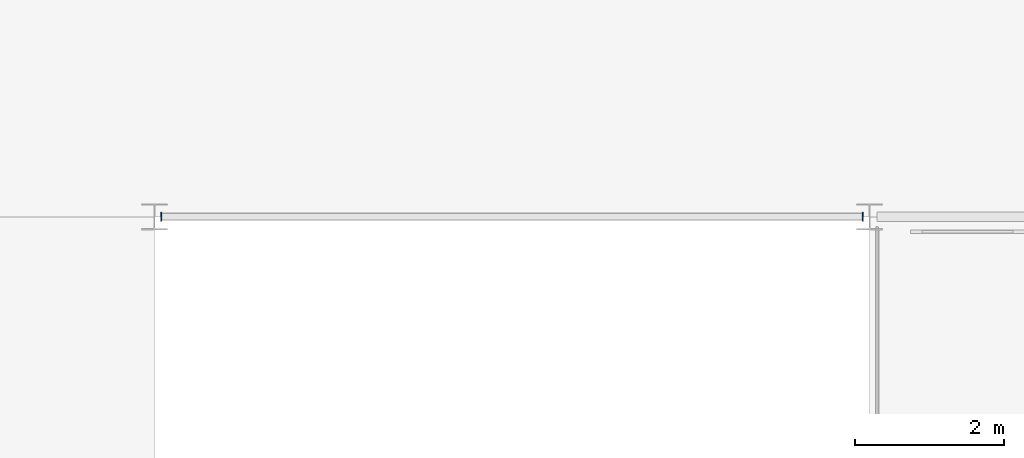
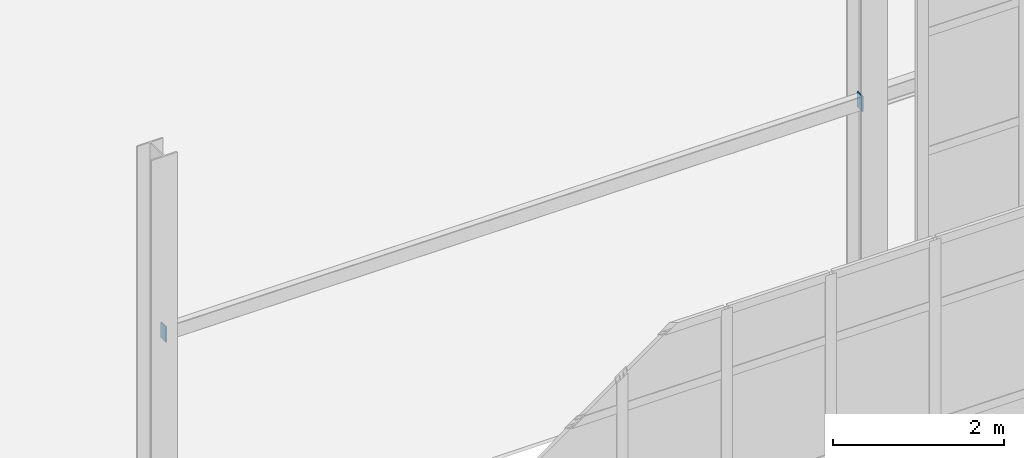
# One storey, part 93 of 139: 2 plates.
"""IFC4 building model written with IfcOpenShell, lengths in metres."""

import ifcopenshell
import ifcopenshell.guid

model = None  # the IFC model being written
_history = None  # IfcOwnerHistory: only IFC2X3 demands one
_inside = {}  # id of a spatial element -> (the spatial element, [elements in it])
_under = {}  # id of a project, library or spatial element -> (it, [spatial elements below it])
_declared = {}  # id of a project -> (the project, [libraries it declares])
_typed = {}  # id of a type object -> (the type object, [elements of that type])
_made_of = {}  # id of a material, layer set ... -> (it, [elements and type objects made of it])


def new_model(schema):
    """Start an empty IFC model of exactly this schema.

    Asked for "IFC4X3", IfcOpenShell would pick the latest addendum, in which some entities
    have other attributes; the version numbers below select the first issue.
    IFC2X3 requires an IfcOwnerHistory on every rooted entity: one is made here for all.
    """
    global model, _history
    if schema == "IFC4X3":
        model = ifcopenshell.file(schema_version=(4, 3, 0, 0))
    else:
        model = ifcopenshell.file(schema=schema)
    _inside.clear()
    _under.clear()
    _declared.clear()
    _typed.clear()
    _made_of.clear()
    _history = None
    if model.schema == "IFC2X3":
        org = make("IfcOrganization", Name="unknown")
        user = make(
            "IfcPersonAndOrganization",
            ThePerson=make("IfcPerson", FamilyName="unknown"),
            TheOrganization=org,
        )
        app = make(
            "IfcApplication",
            ApplicationDeveloper=org,
            Version="unknown",
            ApplicationFullName="unknown",
            ApplicationIdentifier="unknown",
        )
        _history = make(
            "IfcOwnerHistory",
            OwningUser=user,
            OwningApplication=app,
            ChangeAction="ADDED",
            CreationDate=0,
        )
    return model


def make(cls, **values):
    """One entity of the class cls with the attributes given. An attribute that is None is left unset."""
    return model.create_entity(
        cls, **{name: value for name, value in values.items() if value is not None}
    )


def rooted(cls, **values):
    """An entity with a GlobalId (a new one), such as an element, a storey or a relation."""
    return make(cls, GlobalId=ifcopenshell.guid.new(), OwnerHistory=_history, **values)


def si_unit(unit_type, name, prefix=None):
    """IfcSIUnit, for example si_unit("LENGTHUNIT", "METRE", prefix="MILLI")."""
    return make("IfcSIUnit", UnitType=unit_type, Prefix=prefix, Name=name)


def assignment(units):
    """IfcUnitAssignment: the units of a project."""
    return None if units is None else make("IfcUnitAssignment", Units=units)


def point(xyz):
    """IfcCartesianPoint."""
    return None if xyz is None else make("IfcCartesianPoint", Coordinates=xyz)


def direction(xyz):
    """IfcDirection."""
    return None if xyz is None else make("IfcDirection", DirectionRatios=xyz)


def frame(location, z_axis=None, x_axis=None):
    """IfcAxis2Placement3D, a coordinate frame: its origin and axes. An axis left out is left unset."""
    return make(
        "IfcAxis2Placement3D",
        Location=point(location),
        Axis=direction(z_axis),
        RefDirection=direction(x_axis),
    )


def frame_2d(location, x_axis=None):
    """IfcAxis2Placement2D, a coordinate frame in the plane: its origin and x axis."""
    return make(
        "IfcAxis2Placement2D", Location=point(location), RefDirection=direction(x_axis)
    )


def origin():
    """The frame at (0, 0, 0) with its axes left unset."""
    return frame((0.0, 0.0, 0.0))


def origin_2d():
    """The frame at (0, 0) in the plane with its x axis left unset."""
    return frame_2d((0.0, 0.0))


def place(relative_to, where):
    """IfcLocalPlacement: puts the frame where relative to a parent placement (None: the world)."""
    return make(
        "IfcLocalPlacement", PlacementRelTo=relative_to, RelativePlacement=where
    )


def context(
    kind, dimensions, precision=None, world=None, true_north=None, identifier=None
):
    """IfcGeometricRepresentationContext, for example the 3D "Model" context."""
    return make(
        "IfcGeometricRepresentationContext",
        ContextIdentifier=identifier,
        ContextType=kind,
        CoordinateSpaceDimension=dimensions,
        Precision=precision,
        WorldCoordinateSystem=world,
        TrueNorth=true_north,
    )


def subcontext(parent, identifier, kind, view, scale=None):
    """IfcGeometricRepresentationSubContext, for example "Body" below "Model"."""
    return make(
        "IfcGeometricRepresentationSubContext",
        ContextIdentifier=identifier,
        ContextType=kind,
        ParentContext=parent,
        TargetScale=scale,
        TargetView=view,
    )


def project(units=None, contexts=None):
    """IfcProject with its units and contexts."""
    return rooted(
        "IfcProject",
        Name="project",
        RepresentationContexts=contexts,
        UnitsInContext=assignment(units),
    )


def spatial(cls, under=None, at=None, **own):
    """A site, building, storey or space (cls), placed at a placement, below another one or the project."""
    s = rooted(cls, ObjectPlacement=at, **own)
    if under is not None:
        _under.setdefault(under.id(), (under, []))[1].append(s)
    return s


def profile(cls, at=None, kind="AREA", **sizes):
    """A parametric profile (cls). Its sizes go by their IFC names, for example OverallWidth=200.0."""
    return make(cls, ProfileType=kind, Position=at, **sizes)


def rectangle(**sizes):
    """IfcRectangleProfileDef."""
    return profile("IfcRectangleProfileDef", **sizes)


def extrude(swept, where, along, depth):
    """IfcExtrudedAreaSolid: the profile swept, set in the frame where, extruded along a direction by depth."""
    return make(
        "IfcExtrudedAreaSolid",
        SweptArea=swept,
        Position=where,
        ExtrudedDirection=direction(along),
        Depth=depth,
    )


def shape(context_of_items, identifier, shape_type, items):
    """IfcShapeRepresentation: the items that make up one representation, for example the "Body"."""
    return make(
        "IfcShapeRepresentation",
        ContextOfItems=context_of_items,
        RepresentationIdentifier=identifier,
        RepresentationType=shape_type,
        Items=items,
    )


def material(Name=None, Category=None):
    """IfcMaterial."""
    return make("IfcMaterial", Name=Name, Category=Category)


def layer(
    of_material, thickness, ventilated=None, Name=None, Category=None, Priority=None
):
    """IfcMaterialLayer: one layer of a wall or slab, of a material (None: an air gap)."""
    return make(
        "IfcMaterialLayer",
        Material=of_material,
        LayerThickness=thickness,
        IsVentilated=ventilated,
        Name=Name,
        Category=Category,
        Priority=Priority,
    )


def layer_set(layers, Name=None):
    """IfcMaterialLayerSet."""
    return make("IfcMaterialLayerSet", MaterialLayers=layers, LayerSetName=Name)


def made_of(thing, what):
    """Note that an element or type object is made of a material, layer set ...; save() writes the relation."""
    if what is not None:
        _made_of.setdefault(what.id(), (what, []))[1].append(thing)
    return thing


def type_object(cls, material=None, **own):
    """A type object (cls), such as IfcWallType, which elements share."""
    return made_of(rooted(cls, **own), material)


def element(
    cls,
    number,
    at=None,
    inside=None,
    cuts=None,
    type_object=None,
    material=None,
    context=None,
    identifier="Body",
    shape_type=None,
    held_by="IfcProductDefinitionShape",
    body=None,
    shapes=None,
    **own,
):
    """One element of the class cls, such as IfcWall. Its Tag is "e" and its number.

    at: its placement. inside: the storey or other place that contains it. cuts: it is an
    opening in that element (IfcRelVoidsElement). A single representation is given by context,
    identifier, shape_type and body (its items); several are given by shapes. held_by: the class
    of the entity that holds the representations. save() writes the other relations.
    """
    e = rooted(cls, Tag="e%d" % number, ObjectPlacement=at, **own)
    if body is not None:
        shapes = [shape(context, identifier, shape_type, body)]
    if shapes is not None:
        e.Representation = make(held_by, Representations=shapes)
    if inside is not None:
        _inside.setdefault(inside.id(), (inside, []))[1].append(e)
    if cuts is not None:
        rooted(
            "IfcRelVoidsElement", RelatingBuildingElement=cuts, RelatedOpeningElement=e
        )
    if type_object is not None:
        _typed.setdefault(type_object.id(), (type_object, []))[1].append(e)
    return made_of(e, material)


def aggregate(whole, parts):
    """IfcRelAggregates: a whole, such as a stair, and the parts it consists of."""
    return rooted("IfcRelAggregates", RelatingObject=whole, RelatedObjects=parts)


def save(model, path):
    """Write the relations noted so far, then the file.

    IfcRelAggregates (storeys below a building ...), IfcRelContainedInSpatialStructure (elements
    in a storey), IfcRelDefinesByType, IfcRelAssociatesMaterial and IfcRelDeclares: one each for
    every whole, place, type object, material and project.
    """
    for whole, parts in _under.values():
        aggregate(whole, parts)
    for where, things in _inside.values():
        rooted(
            "IfcRelContainedInSpatialStructure",
            RelatedElements=things,
            RelatingStructure=where,
        )
    for kind, things in _typed.values():
        rooted("IfcRelDefinesByType", RelatedObjects=things, RelatingType=kind)
    for what, things in _made_of.values():
        rooted("IfcRelAssociatesMaterial", RelatedObjects=things, RelatingMaterial=what)
    for by, libraries in _declared.values():
        rooted("IfcRelDeclares", RelatingContext=by, RelatedDefinitions=libraries)
    model.write(path)


model = new_model("IFC4")

# Units and contexts
model_context = context("Model", 3, precision=1e-05, world=origin(), true_north=direction((0.0, 1.0)))
body_context = subcontext(model_context, "Body", "Model", "MODEL_VIEW")
ifc_project = project(units=[si_unit("LENGTHUNIT", "METRE"), si_unit("AREAUNIT", "SQUARE_METRE"), si_unit("VOLUMEUNIT", "CUBIC_METRE"), si_unit("PLANEANGLEUNIT", "RADIAN"), si_unit("MASSUNIT", "GRAM", prefix="KILO")], contexts=[model_context])

# Site, building, storey
site_placement = place(None, origin())
site = spatial("IfcSite", under=ifc_project, at=site_placement, CompositionType="ELEMENT")
building_placement = place(site_placement, origin())
building = spatial("IfcBuilding", under=site, at=building_placement, Name="Yeouljin Market Hall", CompositionType="ELEMENT")
storey_placement = place(building_placement, origin())
storey = spatial("IfcBuildingStorey", under=building, at=storey_placement, Name="L00", CompositionType="ELEMENT", Elevation=0.0)

# Plates
ifc_material = material(Name="Steel SM355", Category="steel")
ifc_layer = layer(ifc_material, 0.01611328125)
ifc_layer_set = layer_set([ifc_layer], Name="Steel SM355")
plate_type = type_object("IfcPlateType", Name="CapPlate_220x120x16", PredefinedType="SHEET", material=ifc_layer_set)
for number, where, z_axis, x_axis, name in (
    (1, (112.2919921875, 9.60009765625, 3.240234375), (0.0, 0.0, 1.0), (0.0, 1.0, 0.0), "Portal lintel end-cap plate 04-W"),
    (2, (121.7080078125, 9.60009765625, 3.240234375), (0.0, 0.0, 1.0), (0.0, 1.0, 0.0), "Portal lintel end-cap plate 04-E"),
):
    element("IfcPlate", number, at=place(storey_placement, frame(where, z_axis=z_axis, x_axis=x_axis)), inside=storey, type_object=plate_type, Name=name, PredefinedType="SHEET", context=body_context, shape_type="SweptSolid", body=[
        extrude(rectangle(XDim=0.1201171875, YDim=0.01611328125, at=origin_2d()), origin(), (0.0, 0.0, 1.0), 0.219970703125),
    ])

save(model, "model.ifc")
